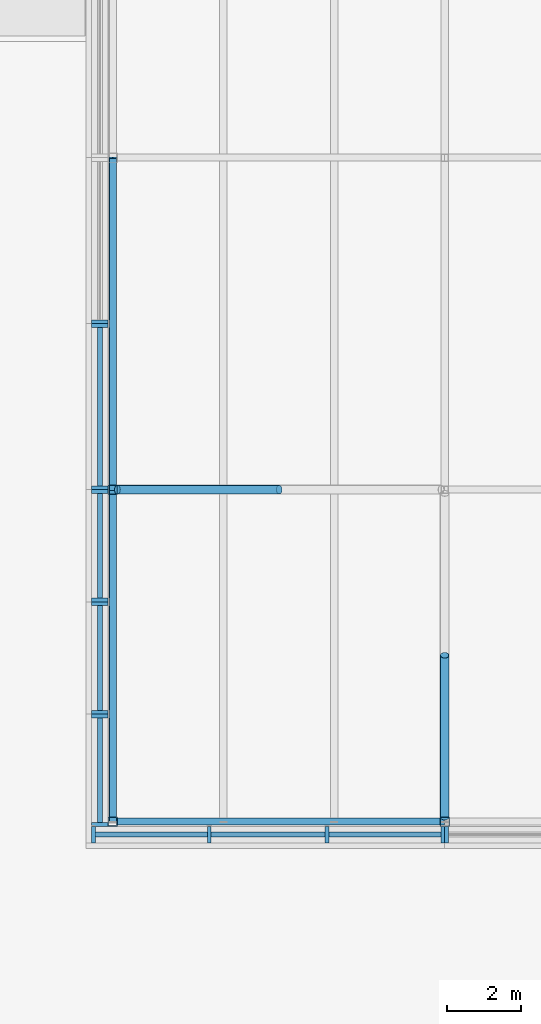
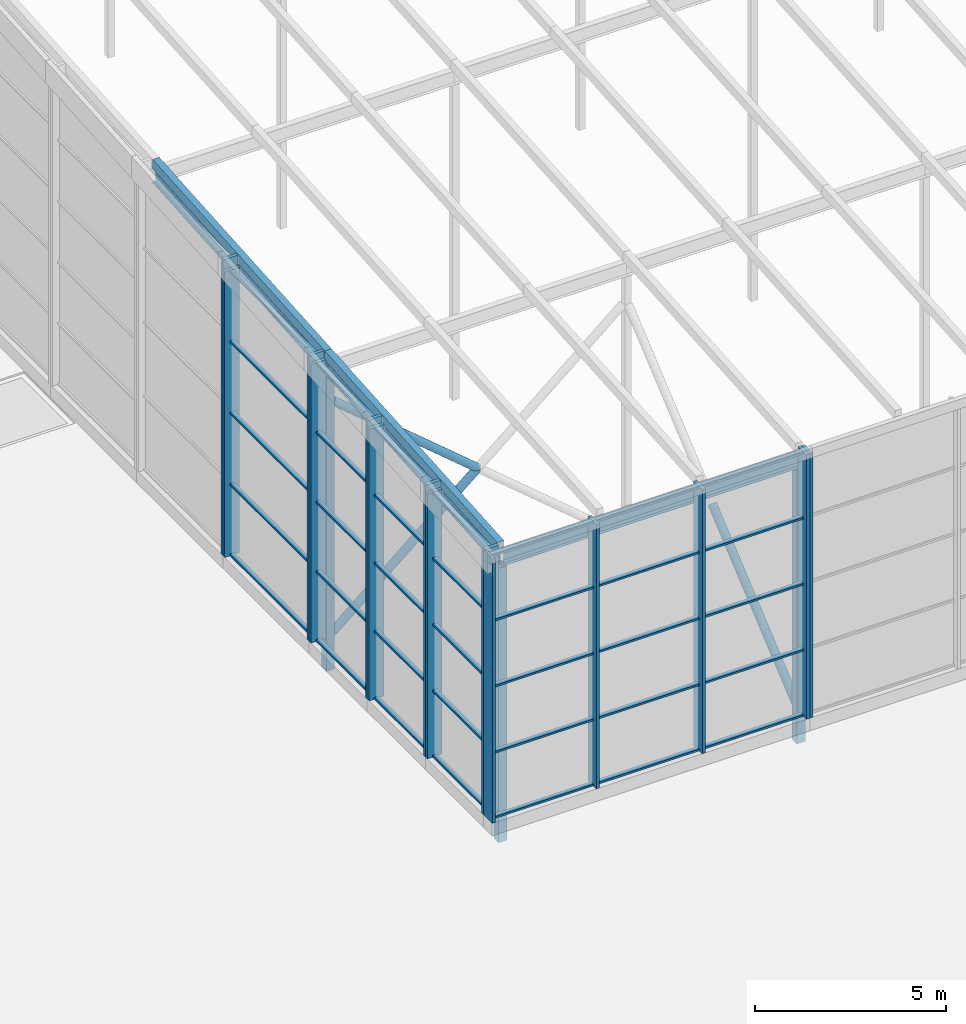
# One storey, part 3 of 84: 57 members, 3 beams, 7 elements without a shape of their own.
"""IFC4 building model written with IfcOpenShell, lengths in metres."""

from ifc_helpers import new_model, si_unit, direction, frame, origin, origin_2d, place, context, subcontext, project, spatial, rectangle, hollow_rectangle, hollow_circle, i_section, extrude, material, material_profile, profile_set, type_object, element, aggregate, save


model = new_model("IFC4")

# Units and contexts
model_context = context("Model", 3, precision=1e-05, world=origin(), true_north=direction((0.0, 1.0)))
body_context = subcontext(model_context, "Body", "Model", "MODEL_VIEW")
ifc_project = project(units=[si_unit("LENGTHUNIT", "METRE"), si_unit("AREAUNIT", "SQUARE_METRE"), si_unit("VOLUMEUNIT", "CUBIC_METRE"), si_unit("PLANEANGLEUNIT", "RADIAN"), si_unit("MASSUNIT", "GRAM", prefix="KILO")], contexts=[model_context])

# Site, building, storey
site_placement = place(None, origin())
site = spatial("IfcSite", under=ifc_project, at=site_placement, CompositionType="ELEMENT")
building_placement = place(site_placement, origin())
building = spatial("IfcBuilding", under=site, at=building_placement, Name="Silverbay Arena", CompositionType="ELEMENT")
storey_placement = place(building_placement, frame((0.0, 0.0, 47.10009765625)))
storey = spatial("IfcBuildingStorey", under=building, at=storey_placement, Name="ROOF", CompositionType="ELEMENT", Elevation=47.10009765625)

# Curtain wall, members
ifc_material_1 = material(Name="Aluminium framed glazing", Category="aluminium")
curtain_wall_type_1 = type_object("IfcCurtainWallType", Name="Curtain wall crown 9575 x 8425", PredefinedType="NOTDEFINED", material=ifc_material_1)
curtain_wall_1_placement = place(storey_placement, origin())
curtain_wall_1 = element("IfcCurtainWall", 1, at=curtain_wall_1_placement, inside=storey, type_object=curtain_wall_type_1, Name="ROOF CROWN CURTAIN WALL south bay 01", PredefinedType="NOTDEFINED")
ifc_material_2 = material(Name="Aluminium", Category="aluminium")
ifc_material_profile_1 = material_profile(ifc_material_2, rectangle(XDim=0.449951171875, YDim=0.10009765625, at=origin_2d()), Name="Mullion 100 x 450")
ifc_profile_set_1 = profile_set([ifc_material_profile_1], Name="Aluminium")
member_type_1 = type_object("IfcMemberType", Name="Mullion 100 x 450", PredefinedType="MULLION", material=ifc_profile_set_1)
placement = place(building_placement, frame((0.0, 0.0, 33.5)))
member_1_placement = place(placement, frame((80.47509765625, 26.64990234375, 14.050048828125), z_axis=(0.0, 0.0, 1.0), x_axis=(0.0, 1.0, 0.0)))
member_1 = element("IfcMember", 2, at=member_1_placement, type_object=member_type_1, Name="CW61 mullion 1", PredefinedType="MULLION", context=body_context, shape_type="SweptSolid", body=[
    extrude(rectangle(XDim=0.449951171875, YDim=0.10009765625, at=origin_2d()), origin(), (0.0, 0.0, 1.0), 8.424560546875),
])
member_2_placement = place(placement, frame((83.61669921875, 26.64990234375, 14.050048828125), z_axis=(0.0, 0.0, 1.0), x_axis=(0.0, 1.0, 0.0)))
member_2 = element("IfcMember", 3, at=member_2_placement, type_object=member_type_1, Name="CW61 mullion 2", PredefinedType="MULLION", context=body_context, shape_type="SweptSolid", body=[
    extrude(rectangle(XDim=0.449951171875, YDim=0.10009765625, at=origin_2d()), origin(), (0.0, 0.0, 1.0), 8.424560546875),
])
member_3_placement = place(placement, frame((86.808349609375, 26.64990234375, 14.050048828125), z_axis=(0.0, 0.0, 1.0), x_axis=(0.0, 1.0, 0.0)))
member_3 = element("IfcMember", 4, at=member_3_placement, type_object=member_type_1, Name="CW61 mullion 3", PredefinedType="MULLION", context=body_context, shape_type="SweptSolid", body=[
    extrude(rectangle(XDim=0.449951171875, YDim=0.10009765625, at=origin_2d()), origin(), (0.0, 0.0, 1.0), 8.424560546875),
])
member_4_placement = place(placement, frame((89.949951171875, 26.64990234375, 14.050048828125), z_axis=(0.0, 0.0, 1.0), x_axis=(0.0, 1.0, 0.0)))
member_4 = element("IfcMember", 5, at=member_4_placement, type_object=member_type_1, Name="CW61 mullion 4", PredefinedType="MULLION", context=body_context, shape_type="SweptSolid", body=[
    extrude(rectangle(XDim=0.449951171875, YDim=0.10009765625, at=origin_2d()), origin(), (0.0, 0.0, 1.0), 8.424560546875),
])

# Curtain wall, member
ifc_material_3 = material(Name="Aluminium framed glazing", Category="aluminium")
curtain_wall_type_2 = type_object("IfcCurtainWallType", Name="Curtain wall crown 9000 x 8425", PredefinedType="NOTDEFINED", material=ifc_material_3)
curtain_wall_2_placement = place(storey_placement, origin())
curtain_wall_2 = element("IfcCurtainWall", 6, at=curtain_wall_2_placement, inside=storey, type_object=curtain_wall_type_2, Name="ROOF CROWN CURTAIN WALL south bay 02", PredefinedType="NOTDEFINED")
member_5_placement = place(placement, frame((90.050048828125, 26.64990234375, 14.050048828125), z_axis=(0.0, 0.0, 1.0), x_axis=(0.0, 1.0, 0.0)))
member_5 = element("IfcMember", 7, at=member_5_placement, type_object=member_type_1, Name="CW62 mullion 1", PredefinedType="MULLION", context=body_context, shape_type="SweptSolid", body=[
    extrude(rectangle(XDim=0.449951171875, YDim=0.10009765625, at=origin_2d()), origin(), (0.0, 0.0, 1.0), 8.424560546875),
])
aggregate(curtain_wall_2, [member_5])

# Curtain wall, members
ifc_material_4 = material(Name="Aluminium framed glazing", Category="aluminium")
curtain_wall_type_3 = type_object("IfcCurtainWallType", Name="Curtain wall crown 3042 x 8441", PredefinedType="NOTDEFINED", material=ifc_material_4)
curtain_wall_3_placement = place(storey_placement, origin())
curtain_wall_3 = element("IfcCurtainWall", 8, at=curtain_wall_3_placement, inside=storey, type_object=curtain_wall_type_3, Name="ROOF CROWN CURTAIN WALL west bay 01", PredefinedType="NOTDEFINED")
member_6_placement = place(placement, frame((80.64990234375, 26.925048828125, 14.050048828125), z_axis=(0.0, 0.0, 1.0), x_axis=(-1.0, 0.0, 0.0)))
member_6 = element("IfcMember", 9, at=member_6_placement, type_object=member_type_1, Name="CW63 mullion 1", PredefinedType="MULLION", context=body_context, shape_type="SweptSolid", body=[
    extrude(rectangle(XDim=0.449951171875, YDim=0.10009765625, at=origin_2d()), origin(), (0.0, 0.0, 1.0), 8.44091796875),
])
member_7_placement = place(placement, frame((80.64990234375, 29.86669921875, 14.050048828125), z_axis=(0.0, 0.0, 1.0), x_axis=(-1.0, 0.0, 0.0)))
member_7 = element("IfcMember", 10, at=member_7_placement, type_object=member_type_1, Name="CW63 mullion 2", PredefinedType="MULLION", context=body_context, shape_type="SweptSolid", body=[
    extrude(rectangle(XDim=0.449951171875, YDim=0.10009765625, at=origin_2d()), origin(), (0.0, 0.0, 1.0), 8.44091796875),
])

ifc_material_5 = material(Name="Aluminium framed glazing", Category="aluminium")
curtain_wall_type_4 = type_object("IfcCurtainWallType", Name="Curtain wall crown 3042 x 8661", PredefinedType="NOTDEFINED", material=ifc_material_5)
curtain_wall_4_placement = place(storey_placement, origin())
curtain_wall_4 = element("IfcCurtainWall", 11, at=curtain_wall_4_placement, inside=storey, type_object=curtain_wall_type_4, Name="ROOF CROWN CURTAIN WALL west bay 02", PredefinedType="NOTDEFINED")
member_8_placement = place(placement, frame((80.64990234375, 29.966552734375, 14.050048828125), z_axis=(0.0, 0.0, 1.0), x_axis=(-1.0, 0.0, 0.0)))
member_8 = element("IfcMember", 12, at=member_8_placement, type_object=member_type_1, Name="CW64 mullion 1", PredefinedType="MULLION", context=body_context, shape_type="SweptSolid", body=[
    extrude(rectangle(XDim=0.449951171875, YDim=0.10009765625, at=origin_2d()), origin(), (0.0, 0.0, 1.0), 8.66064453125),
])
member_9_placement = place(placement, frame((80.64990234375, 32.908447265625, 14.050048828125), z_axis=(0.0, 0.0, 1.0), x_axis=(-1.0, 0.0, 0.0)))
member_9 = element("IfcMember", 13, at=member_9_placement, type_object=member_type_1, Name="CW64 mullion 2", PredefinedType="MULLION", context=body_context, shape_type="SweptSolid", body=[
    extrude(rectangle(XDim=0.449951171875, YDim=0.10009765625, at=origin_2d()), origin(), (0.0, 0.0, 1.0), 8.66064453125),
])

ifc_material_6 = material(Name="Aluminium framed glazing", Category="aluminium")
curtain_wall_type_5 = type_object("IfcCurtainWallType", Name="Curtain wall crown 3042 x 8880", PredefinedType="NOTDEFINED", material=ifc_material_6)
curtain_wall_5_placement = place(storey_placement, origin())
curtain_wall_5 = element("IfcCurtainWall", 14, at=curtain_wall_5_placement, inside=storey, type_object=curtain_wall_type_5, Name="ROOF CROWN CURTAIN WALL west bay 03", PredefinedType="NOTDEFINED")
member_10_placement = place(placement, frame((80.64990234375, 33.00830078125, 14.050048828125), z_axis=(0.0, 0.0, 1.0), x_axis=(-1.0, 0.0, 0.0)))
member_10 = element("IfcMember", 15, at=member_10_placement, type_object=member_type_1, Name="CW65 mullion 1", PredefinedType="MULLION", context=body_context, shape_type="SweptSolid", body=[
    extrude(rectangle(XDim=0.449951171875, YDim=0.10009765625, at=origin_2d()), origin(), (0.0, 0.0, 1.0), 8.88037109375),
])
member_11_placement = place(placement, frame((80.64990234375, 35.949951171875, 14.050048828125), z_axis=(0.0, 0.0, 1.0), x_axis=(-1.0, 0.0, 0.0)))
member_11 = element("IfcMember", 16, at=member_11_placement, type_object=member_type_1, Name="CW65 mullion 2", PredefinedType="MULLION", context=body_context, shape_type="SweptSolid", body=[
    extrude(rectangle(XDim=0.449951171875, YDim=0.10009765625, at=origin_2d()), origin(), (0.0, 0.0, 1.0), 8.88037109375),
])

ifc_material_7 = material(Name="Aluminium framed glazing", Category="aluminium")
curtain_wall_type_6 = type_object("IfcCurtainWallType", Name="Curtain wall crown 4500 x 9100", PredefinedType="NOTDEFINED", material=ifc_material_7)
curtain_wall_6_placement = place(storey_placement, origin())
curtain_wall_6 = element("IfcCurtainWall", 17, at=curtain_wall_6_placement, inside=storey, type_object=curtain_wall_type_6, Name="ROOF CROWN CURTAIN WALL west bay 04", PredefinedType="NOTDEFINED")
member_12_placement = place(placement, frame((80.64990234375, 36.050048828125, 14.050048828125), z_axis=(0.0, 0.0, 1.0), x_axis=(-1.0, 0.0, 0.0)))
member_12 = element("IfcMember", 18, at=member_12_placement, type_object=member_type_1, Name="CW66 mullion 1", PredefinedType="MULLION", context=body_context, shape_type="SweptSolid", body=[
    extrude(rectangle(XDim=0.449951171875, YDim=0.10009765625, at=origin_2d()), origin(), (0.0, 0.0, 1.0), 9.099853515625),
])
member_13_placement = place(placement, frame((80.64990234375, 40.449951171875, 14.050048828125), z_axis=(0.0, 0.0, 1.0), x_axis=(-1.0, 0.0, 0.0)))
member_13 = element("IfcMember", 19, at=member_13_placement, type_object=member_type_1, Name="CW66 mullion 2", PredefinedType="MULLION", context=body_context, shape_type="SweptSolid", body=[
    extrude(rectangle(XDim=0.449951171875, YDim=0.10009765625, at=origin_2d()), origin(), (0.0, 0.0, 1.0), 9.099853515625),
])

# Curtain wall, member
ifc_material_8 = material(Name="Aluminium framed glazing", Category="aluminium")
curtain_wall_type_7 = type_object("IfcCurtainWallType", Name="Curtain wall crown 4500 x 9425", PredefinedType="NOTDEFINED", material=ifc_material_8)
curtain_wall_7_placement = place(storey_placement, origin())
curtain_wall_7 = element("IfcCurtainWall", 20, at=curtain_wall_7_placement, inside=storey, type_object=curtain_wall_type_7, Name="ROOF CROWN CURTAIN WALL west bay 05", PredefinedType="NOTDEFINED")
member_14_placement = place(placement, frame((80.64990234375, 40.550048828125, 14.050048828125), z_axis=(0.0, 0.0, 1.0), x_axis=(-1.0, 0.0, 0.0)))
member_14 = element("IfcMember", 21, at=member_14_placement, type_object=member_type_1, Name="CW67 mullion 1", PredefinedType="MULLION", context=body_context, shape_type="SweptSolid", body=[
    extrude(rectangle(XDim=0.449951171875, YDim=0.10009765625, at=origin_2d()), origin(), (0.0, 0.0, 1.0), 9.425048828125),
])
aggregate(curtain_wall_7, [member_14])

# Members
ifc_material_9 = material(Name="Steel S355", Category="steel")
ifc_material_profile_2 = material_profile(ifc_material_9, hollow_rectangle(XDim=0.199951171875, YDim=0.300048828125, WallThickness=0.008056640625, at=origin_2d()), Name="RHS 300x200x8")
ifc_profile_set_2 = profile_set([ifc_material_profile_2], Name="Steel S355")
member_type_2 = type_object("IfcMemberType", Name="Purlin RHS 300x200x8", PredefinedType="PURLIN", material=ifc_profile_set_2)
for number, where, z_axis, x_axis, name in (
    (22, (81.0, 27.0, 8.74951171875), (0.0, 0.997402911363, 0.072023832195), (-1.0, 0.0, 0.0), "ROOF PURLIN crown line 01 bay 01"),
    (23, (81.0, 36.0, 9.3994140625), (0.0, 0.997400967367, 0.07205074805), (-1.0, 0.0, 0.0), "ROOF PURLIN crown line 01 bay 02"),
):
    element("IfcMember", number, at=place(storey_placement, frame(where, z_axis=z_axis, x_axis=x_axis)), inside=storey, type_object=member_type_2, Name=name, PredefinedType="PURLIN", context=body_context, shape_type="SweptSolid", body=[
        extrude(hollow_rectangle(XDim=0.199951171875, YDim=0.300048828125, WallThickness=0.008056640625, at=origin_2d()), origin(), (0.0, 0.0, 1.0), 9.0234375),
    ])

# Beams
ifc_material_10 = material(Name="Steel S355", Category="steel")
ifc_material_profile_3 = material_profile(ifc_material_10, i_section(OverallWidth=0.18994140625, OverallDepth=0.453369140625, WebThickness=0.008544921875, FlangeThickness=0.0126953125, at=origin_2d()), Name="UB 457x191x67")
ifc_profile_set_3 = profile_set([ifc_material_profile_3], Name="Steel S355")
beam_type = type_object("IfcBeamType", Name="Ring beam UB 457x191x67", PredefinedType="BEAM", material=ifc_profile_set_3)
beam_placement = place(storey_placement, frame((81.094970703125, 27.0, 8.372314453125), z_axis=(1.0, 0.0, 0.0), x_axis=(0.0, 1.0, 0.0)))
element("IfcBeam", 24, at=beam_placement, inside=storey, type_object=beam_type, Name="RING BEAM crown row 01 10-11", PredefinedType="BEAM", context=body_context, shape_type="SweptSolid", body=[
    extrude(i_section(OverallWidth=0.18994140625, OverallDepth=0.453369140625, WebThickness=0.008544921875, FlangeThickness=0.0126953125, at=origin_2d()), origin(), (0.0, 0.0, 1.0), 8.905029296875),
])
for number, where, z_axis, x_axis, name in (
    (25, (81.0, 27.0, 8.372314453125), (0.0, 0.997400967367, 0.07205074805), (-1.0, 0.0, 0.0), "RING BEAM crown west edge 01"),
    (26, (81.0, 36.0, 9.0224609375), (0.0, 0.997402911363, 0.072023832195), (-1.0, 0.0, 0.0), "RING BEAM crown west edge 02"),
):
    element("IfcBeam", number, at=place(storey_placement, frame(where, z_axis=z_axis, x_axis=x_axis)), inside=storey, type_object=beam_type, Name=name, PredefinedType="BEAM", context=body_context, shape_type="SweptSolid", body=[
        extrude(i_section(OverallWidth=0.18994140625, OverallDepth=0.453369140625, WebThickness=0.008544921875, FlangeThickness=0.0126953125, at=origin_2d()), origin(), (0.0, 0.0, 1.0), 9.0234375),
    ])

# Members
ifc_material_11 = material(Name="Steel S355", Category="steel")
ifc_material_profile_4 = material_profile(ifc_material_11, hollow_rectangle(XDim=0.25, YDim=0.25, WallThickness=0.008056640625, at=origin_2d()), Name="SHS 250x250x8")
ifc_profile_set_4 = profile_set([ifc_material_profile_4], Name="Steel S355")
member_type_3 = type_object("IfcMemberType", Name="Roof post SHS 250x250x8", PredefinedType="POST", material=ifc_profile_set_4)
member_15_placement = place(storey_placement, frame((81.0, 27.0, -0.60009765625), z_axis=(0.0, 0.0, 1.0), x_axis=(1.0, 0.0, 0.0)))
element("IfcMember", 27, at=member_15_placement, inside=storey, type_object=member_type_3, Name="ROOF CROWN POST 10 row 01", PredefinedType="POST", context=body_context, shape_type="SweptSolid", body=[
    extrude(hollow_rectangle(XDim=0.25, YDim=0.25, WallThickness=0.008056640625, at=origin_2d()), origin(), (0.0, 0.0, 1.0), 8.745849609375),
])
member_16_placement = place(storey_placement, frame((81.0, 36.0, -0.60009765625), z_axis=(0.0, 0.0, 1.0), x_axis=(1.0, 0.0, 0.0)))
element("IfcMember", 28, at=member_16_placement, inside=storey, type_object=member_type_3, Name="ROOF CROWN POST 10 row 02", PredefinedType="POST", context=body_context, shape_type="SweptSolid", body=[
    extrude(hollow_rectangle(XDim=0.25, YDim=0.25, WallThickness=0.008056640625, at=origin_2d()), origin(), (0.0, 0.0, 1.0), 9.395751953125),
])
member_17_placement = place(storey_placement, frame((90.0, 27.0, -0.60009765625), z_axis=(0.0, 0.0, 1.0), x_axis=(1.0, 0.0, 0.0)))
element("IfcMember", 29, at=member_17_placement, inside=storey, type_object=member_type_3, Name="ROOF CROWN POST 11 row 01", PredefinedType="POST", context=body_context, shape_type="SweptSolid", body=[
    extrude(hollow_rectangle(XDim=0.25, YDim=0.25, WallThickness=0.008056640625, at=origin_2d()), origin(), (0.0, 0.0, 1.0), 8.745849609375),
])

# Member
ifc_material_12 = material(Name="Aluminium", Category="aluminium")
ifc_material_profile_5 = material_profile(ifc_material_12, rectangle(XDim=0.139892578125, YDim=0.06005859375, at=origin_2d()), Name="Transom 60 x 140")
ifc_profile_set_5 = profile_set([ifc_material_profile_5], Name="Aluminium")
member_type_4 = type_object("IfcMemberType", Name="Transom 60 x 140", PredefinedType="USERDEFINED", material=ifc_profile_set_5)
member_18_placement = place(placement, frame((80.52490234375, 26.64990234375, 14.080078125), z_axis=(1.0, 0.0, 0.0), x_axis=(0.0, 1.0, 0.0)))
member_18 = element("IfcMember", 30, at=member_18_placement, type_object=member_type_4, Name="CW61 transom 1.1", ObjectType="TRANSOM", PredefinedType="USERDEFINED", context=body_context, shape_type="SweptSolid", body=[
    extrude(rectangle(XDim=0.139892578125, YDim=0.06005859375, at=origin_2d()), origin(), (0.0, 0.0, 1.0), 3.041748046875),
])

member_19_placement = place(placement, frame((80.52490234375, 26.64990234375, 16.15625), z_axis=(1.0, 0.0, 0.0), x_axis=(0.0, 1.0, 0.0)))
member_19 = element("IfcMember", 31, at=member_19_placement, type_object=member_type_4, Name="CW61 transom 1.2", ObjectType="TRANSOM", PredefinedType="USERDEFINED", context=body_context, shape_type="SweptSolid", body=[
    extrude(rectangle(XDim=0.139892578125, YDim=0.06005859375, at=origin_2d()), origin(), (0.0, 0.0, 1.0), 3.041748046875),
])

member_20_placement = place(placement, frame((80.52490234375, 26.64990234375, 18.262451171875), z_axis=(1.0, 0.0, 0.0), x_axis=(0.0, 1.0, 0.0)))
member_20 = element("IfcMember", 32, at=member_20_placement, type_object=member_type_4, Name="CW61 transom 1.3", ObjectType="TRANSOM", PredefinedType="USERDEFINED", context=body_context, shape_type="SweptSolid", body=[
    extrude(rectangle(XDim=0.139892578125, YDim=0.06005859375, at=origin_2d()), origin(), (0.0, 0.0, 1.0), 3.041748046875),
])

member_21_placement = place(placement, frame((80.52490234375, 26.64990234375, 20.36865234375), z_axis=(1.0, 0.0, 0.0), x_axis=(0.0, 1.0, 0.0)))
member_21 = element("IfcMember", 33, at=member_21_placement, type_object=member_type_4, Name="CW61 transom 1.4", ObjectType="TRANSOM", PredefinedType="USERDEFINED", context=body_context, shape_type="SweptSolid", body=[
    extrude(rectangle(XDim=0.139892578125, YDim=0.06005859375, at=origin_2d()), origin(), (0.0, 0.0, 1.0), 3.041748046875),
])

member_22_placement = place(placement, frame((80.52490234375, 26.64990234375, 22.44482421875), z_axis=(1.0, 0.0, 0.0), x_axis=(0.0, 1.0, 0.0)))
member_22 = element("IfcMember", 34, at=member_22_placement, type_object=member_type_4, Name="CW61 transom 1.5", ObjectType="TRANSOM", PredefinedType="USERDEFINED", context=body_context, shape_type="SweptSolid", body=[
    extrude(rectangle(XDim=0.139892578125, YDim=0.06005859375, at=origin_2d()), origin(), (0.0, 0.0, 1.0), 3.041748046875),
])

member_23_placement = place(placement, frame((83.666748046875, 26.64990234375, 14.080078125), z_axis=(1.0, 0.0, 0.0), x_axis=(0.0, 1.0, 0.0)))
member_23 = element("IfcMember", 35, at=member_23_placement, type_object=member_type_4, Name="CW61 transom 2.1", ObjectType="TRANSOM", PredefinedType="USERDEFINED", context=body_context, shape_type="SweptSolid", body=[
    extrude(rectangle(XDim=0.139892578125, YDim=0.06005859375, at=origin_2d()), origin(), (0.0, 0.0, 1.0), 3.091552734375),
])

member_24_placement = place(placement, frame((83.666748046875, 26.64990234375, 16.15625), z_axis=(1.0, 0.0, 0.0), x_axis=(0.0, 1.0, 0.0)))
member_24 = element("IfcMember", 36, at=member_24_placement, type_object=member_type_4, Name="CW61 transom 2.2", ObjectType="TRANSOM", PredefinedType="USERDEFINED", context=body_context, shape_type="SweptSolid", body=[
    extrude(rectangle(XDim=0.139892578125, YDim=0.06005859375, at=origin_2d()), origin(), (0.0, 0.0, 1.0), 3.091552734375),
])

member_25_placement = place(placement, frame((83.666748046875, 26.64990234375, 18.262451171875), z_axis=(1.0, 0.0, 0.0), x_axis=(0.0, 1.0, 0.0)))
member_25 = element("IfcMember", 37, at=member_25_placement, type_object=member_type_4, Name="CW61 transom 2.3", ObjectType="TRANSOM", PredefinedType="USERDEFINED", context=body_context, shape_type="SweptSolid", body=[
    extrude(rectangle(XDim=0.139892578125, YDim=0.06005859375, at=origin_2d()), origin(), (0.0, 0.0, 1.0), 3.091552734375),
])

member_26_placement = place(placement, frame((83.666748046875, 26.64990234375, 20.36865234375), z_axis=(1.0, 0.0, 0.0), x_axis=(0.0, 1.0, 0.0)))
member_26 = element("IfcMember", 38, at=member_26_placement, type_object=member_type_4, Name="CW61 transom 2.4", ObjectType="TRANSOM", PredefinedType="USERDEFINED", context=body_context, shape_type="SweptSolid", body=[
    extrude(rectangle(XDim=0.139892578125, YDim=0.06005859375, at=origin_2d()), origin(), (0.0, 0.0, 1.0), 3.091552734375),
])

member_27_placement = place(placement, frame((83.666748046875, 26.64990234375, 22.44482421875), z_axis=(1.0, 0.0, 0.0), x_axis=(0.0, 1.0, 0.0)))
member_27 = element("IfcMember", 39, at=member_27_placement, type_object=member_type_4, Name="CW61 transom 2.5", ObjectType="TRANSOM", PredefinedType="USERDEFINED", context=body_context, shape_type="SweptSolid", body=[
    extrude(rectangle(XDim=0.139892578125, YDim=0.06005859375, at=origin_2d()), origin(), (0.0, 0.0, 1.0), 3.091552734375),
])

member_28_placement = place(placement, frame((86.8583984375, 26.64990234375, 14.080078125), z_axis=(1.0, 0.0, 0.0), x_axis=(0.0, 1.0, 0.0)))
member_28 = element("IfcMember", 40, at=member_28_placement, type_object=member_type_4, Name="CW61 transom 3.1", ObjectType="TRANSOM", PredefinedType="USERDEFINED", context=body_context, shape_type="SweptSolid", body=[
    extrude(rectangle(XDim=0.139892578125, YDim=0.06005859375, at=origin_2d()), origin(), (0.0, 0.0, 1.0), 3.04150390625),
])

member_29_placement = place(placement, frame((86.8583984375, 26.64990234375, 16.15625), z_axis=(1.0, 0.0, 0.0), x_axis=(0.0, 1.0, 0.0)))
member_29 = element("IfcMember", 41, at=member_29_placement, type_object=member_type_4, Name="CW61 transom 3.2", ObjectType="TRANSOM", PredefinedType="USERDEFINED", context=body_context, shape_type="SweptSolid", body=[
    extrude(rectangle(XDim=0.139892578125, YDim=0.06005859375, at=origin_2d()), origin(), (0.0, 0.0, 1.0), 3.04150390625),
])

member_30_placement = place(placement, frame((86.8583984375, 26.64990234375, 18.262451171875), z_axis=(1.0, 0.0, 0.0), x_axis=(0.0, 1.0, 0.0)))
member_30 = element("IfcMember", 42, at=member_30_placement, type_object=member_type_4, Name="CW61 transom 3.3", ObjectType="TRANSOM", PredefinedType="USERDEFINED", context=body_context, shape_type="SweptSolid", body=[
    extrude(rectangle(XDim=0.139892578125, YDim=0.06005859375, at=origin_2d()), origin(), (0.0, 0.0, 1.0), 3.04150390625),
])

member_31_placement = place(placement, frame((86.8583984375, 26.64990234375, 20.36865234375), z_axis=(1.0, 0.0, 0.0), x_axis=(0.0, 1.0, 0.0)))
member_31 = element("IfcMember", 43, at=member_31_placement, type_object=member_type_4, Name="CW61 transom 3.4", ObjectType="TRANSOM", PredefinedType="USERDEFINED", context=body_context, shape_type="SweptSolid", body=[
    extrude(rectangle(XDim=0.139892578125, YDim=0.06005859375, at=origin_2d()), origin(), (0.0, 0.0, 1.0), 3.04150390625),
])

member_32_placement = place(placement, frame((86.8583984375, 26.64990234375, 22.44482421875), z_axis=(1.0, 0.0, 0.0), x_axis=(0.0, 1.0, 0.0)))
member_32 = element("IfcMember", 44, at=member_32_placement, type_object=member_type_4, Name="CW61 transom 3.5", ObjectType="TRANSOM", PredefinedType="USERDEFINED", context=body_context, shape_type="SweptSolid", body=[
    extrude(rectangle(XDim=0.139892578125, YDim=0.06005859375, at=origin_2d()), origin(), (0.0, 0.0, 1.0), 3.04150390625),
])

aggregate(curtain_wall_1, [member_1, member_2, member_3, member_4, member_18, member_19, member_20, member_21, member_22, member_23, member_24, member_25, member_26, member_27, member_28, member_29, member_30, member_31, member_32])

member_33_placement = place(placement, frame((80.64990234375, 26.97509765625, 14.080078125), z_axis=(0.0, 1.0, 0.0), x_axis=(-1.0, 0.0, 0.0)))
member_33 = element("IfcMember", 45, at=member_33_placement, type_object=member_type_4, Name="CW63 transom 1.1", ObjectType="TRANSOM", PredefinedType="USERDEFINED", context=body_context, shape_type="SweptSolid", body=[
    extrude(rectangle(XDim=0.139892578125, YDim=0.06005859375, at=origin_2d()), origin(), (0.0, 0.0, 1.0), 2.841552734375),
])

member_34_placement = place(placement, frame((80.64990234375, 26.97509765625, 16.16015625), z_axis=(0.0, 1.0, 0.0), x_axis=(-1.0, 0.0, 0.0)))
member_34 = element("IfcMember", 46, at=member_34_placement, type_object=member_type_4, Name="CW63 transom 1.2", ObjectType="TRANSOM", PredefinedType="USERDEFINED", context=body_context, shape_type="SweptSolid", body=[
    extrude(rectangle(XDim=0.139892578125, YDim=0.06005859375, at=origin_2d()), origin(), (0.0, 0.0, 1.0), 2.841552734375),
])

member_35_placement = place(placement, frame((80.64990234375, 26.97509765625, 18.2705078125), z_axis=(0.0, 1.0, 0.0), x_axis=(-1.0, 0.0, 0.0)))
member_35 = element("IfcMember", 47, at=member_35_placement, type_object=member_type_4, Name="CW63 transom 1.3", ObjectType="TRANSOM", PredefinedType="USERDEFINED", context=body_context, shape_type="SweptSolid", body=[
    extrude(rectangle(XDim=0.139892578125, YDim=0.06005859375, at=origin_2d()), origin(), (0.0, 0.0, 1.0), 2.841552734375),
])

member_36_placement = place(placement, frame((80.64990234375, 26.97509765625, 20.380615234375), z_axis=(0.0, 1.0, 0.0), x_axis=(-1.0, 0.0, 0.0)))
member_36 = element("IfcMember", 48, at=member_36_placement, type_object=member_type_4, Name="CW63 transom 1.4", ObjectType="TRANSOM", PredefinedType="USERDEFINED", context=body_context, shape_type="SweptSolid", body=[
    extrude(rectangle(XDim=0.139892578125, YDim=0.06005859375, at=origin_2d()), origin(), (0.0, 0.0, 1.0), 2.841552734375),
])

member_37_placement = place(placement, frame((80.64990234375, 26.97509765625, 22.4609375), z_axis=(0.0, 1.0, 0.0), x_axis=(-1.0, 0.0, 0.0)))
member_37 = element("IfcMember", 49, at=member_37_placement, type_object=member_type_4, Name="CW63 transom 1.5", ObjectType="TRANSOM", PredefinedType="USERDEFINED", context=body_context, shape_type="SweptSolid", body=[
    extrude(rectangle(XDim=0.139892578125, YDim=0.06005859375, at=origin_2d()), origin(), (0.0, 0.0, 1.0), 2.841552734375),
])

aggregate(curtain_wall_3, [member_6, member_7, member_33, member_34, member_35, member_36, member_37])

member_38_placement = place(placement, frame((80.64990234375, 30.0166015625, 14.080078125), z_axis=(0.0, 1.0, 0.0), x_axis=(-1.0, 0.0, 0.0)))
member_38 = element("IfcMember", 50, at=member_38_placement, type_object=member_type_4, Name="CW64 transom 1.1", ObjectType="TRANSOM", PredefinedType="USERDEFINED", context=body_context, shape_type="SweptSolid", body=[
    extrude(rectangle(XDim=0.139892578125, YDim=0.06005859375, at=origin_2d()), origin(), (0.0, 0.0, 1.0), 2.841796875),
])

member_39_placement = place(placement, frame((80.64990234375, 30.0166015625, 16.215087890625), z_axis=(0.0, 1.0, 0.0), x_axis=(-1.0, 0.0, 0.0)))
member_39 = element("IfcMember", 51, at=member_39_placement, type_object=member_type_4, Name="CW64 transom 1.2", ObjectType="TRANSOM", PredefinedType="USERDEFINED", context=body_context, shape_type="SweptSolid", body=[
    extrude(rectangle(XDim=0.139892578125, YDim=0.06005859375, at=origin_2d()), origin(), (0.0, 0.0, 1.0), 2.841796875),
])

member_40_placement = place(placement, frame((80.64990234375, 30.0166015625, 18.38037109375), z_axis=(0.0, 1.0, 0.0), x_axis=(-1.0, 0.0, 0.0)))
member_40 = element("IfcMember", 52, at=member_40_placement, type_object=member_type_4, Name="CW64 transom 1.3", ObjectType="TRANSOM", PredefinedType="USERDEFINED", context=body_context, shape_type="SweptSolid", body=[
    extrude(rectangle(XDim=0.139892578125, YDim=0.06005859375, at=origin_2d()), origin(), (0.0, 0.0, 1.0), 2.841796875),
])

member_41_placement = place(placement, frame((80.64990234375, 30.0166015625, 20.54541015625), z_axis=(0.0, 1.0, 0.0), x_axis=(-1.0, 0.0, 0.0)))
member_41 = element("IfcMember", 53, at=member_41_placement, type_object=member_type_4, Name="CW64 transom 1.4", ObjectType="TRANSOM", PredefinedType="USERDEFINED", context=body_context, shape_type="SweptSolid", body=[
    extrude(rectangle(XDim=0.139892578125, YDim=0.06005859375, at=origin_2d()), origin(), (0.0, 0.0, 1.0), 2.841796875),
])

member_42_placement = place(placement, frame((80.64990234375, 30.0166015625, 22.6806640625), z_axis=(0.0, 1.0, 0.0), x_axis=(-1.0, 0.0, 0.0)))
member_42 = element("IfcMember", 54, at=member_42_placement, type_object=member_type_4, Name="CW64 transom 1.5", ObjectType="TRANSOM", PredefinedType="USERDEFINED", context=body_context, shape_type="SweptSolid", body=[
    extrude(rectangle(XDim=0.139892578125, YDim=0.06005859375, at=origin_2d()), origin(), (0.0, 0.0, 1.0), 2.841796875),
])

aggregate(curtain_wall_4, [member_8, member_9, member_38, member_39, member_40, member_41, member_42])

member_43_placement = place(placement, frame((80.64990234375, 33.058349609375, 14.080078125), z_axis=(0.0, 1.0, 0.0), x_axis=(-1.0, 0.0, 0.0)))
member_43 = element("IfcMember", 55, at=member_43_placement, type_object=member_type_4, Name="CW65 transom 1.1", ObjectType="TRANSOM", PredefinedType="USERDEFINED", context=body_context, shape_type="SweptSolid", body=[
    extrude(rectangle(XDim=0.139892578125, YDim=0.06005859375, at=origin_2d()), origin(), (0.0, 0.0, 1.0), 2.841552734375),
])

member_44_placement = place(placement, frame((80.64990234375, 33.058349609375, 16.27001953125), z_axis=(0.0, 1.0, 0.0), x_axis=(-1.0, 0.0, 0.0)))
member_44 = element("IfcMember", 56, at=member_44_placement, type_object=member_type_4, Name="CW65 transom 1.2", ObjectType="TRANSOM", PredefinedType="USERDEFINED", context=body_context, shape_type="SweptSolid", body=[
    extrude(rectangle(XDim=0.139892578125, YDim=0.06005859375, at=origin_2d()), origin(), (0.0, 0.0, 1.0), 2.841552734375),
])

member_45_placement = place(placement, frame((80.64990234375, 33.058349609375, 18.490234375), z_axis=(0.0, 1.0, 0.0), x_axis=(-1.0, 0.0, 0.0)))
member_45 = element("IfcMember", 57, at=member_45_placement, type_object=member_type_4, Name="CW65 transom 1.3", ObjectType="TRANSOM", PredefinedType="USERDEFINED", context=body_context, shape_type="SweptSolid", body=[
    extrude(rectangle(XDim=0.139892578125, YDim=0.06005859375, at=origin_2d()), origin(), (0.0, 0.0, 1.0), 2.841552734375),
])

member_46_placement = place(placement, frame((80.64990234375, 33.058349609375, 20.710205078125), z_axis=(0.0, 1.0, 0.0), x_axis=(-1.0, 0.0, 0.0)))
member_46 = element("IfcMember", 58, at=member_46_placement, type_object=member_type_4, Name="CW65 transom 1.4", ObjectType="TRANSOM", PredefinedType="USERDEFINED", context=body_context, shape_type="SweptSolid", body=[
    extrude(rectangle(XDim=0.139892578125, YDim=0.06005859375, at=origin_2d()), origin(), (0.0, 0.0, 1.0), 2.841552734375),
])

member_47_placement = place(placement, frame((80.64990234375, 33.058349609375, 22.900390625), z_axis=(0.0, 1.0, 0.0), x_axis=(-1.0, 0.0, 0.0)))
member_47 = element("IfcMember", 59, at=member_47_placement, type_object=member_type_4, Name="CW65 transom 1.5", ObjectType="TRANSOM", PredefinedType="USERDEFINED", context=body_context, shape_type="SweptSolid", body=[
    extrude(rectangle(XDim=0.139892578125, YDim=0.06005859375, at=origin_2d()), origin(), (0.0, 0.0, 1.0), 2.841552734375),
])

aggregate(curtain_wall_5, [member_10, member_11, member_43, member_44, member_45, member_46, member_47])

member_48_placement = place(placement, frame((80.64990234375, 36.10009765625, 14.080078125), z_axis=(0.0, 1.0, 0.0), x_axis=(-1.0, 0.0, 0.0)))
member_48 = element("IfcMember", 60, at=member_48_placement, type_object=member_type_4, Name="CW66 transom 1.1", ObjectType="TRANSOM", PredefinedType="USERDEFINED", context=body_context, shape_type="SweptSolid", body=[
    extrude(rectangle(XDim=0.139892578125, YDim=0.06005859375, at=origin_2d()), origin(), (0.0, 0.0, 1.0), 4.2998046875),
])

member_49_placement = place(placement, frame((80.64990234375, 36.10009765625, 16.324951171875), z_axis=(0.0, 1.0, 0.0), x_axis=(-1.0, 0.0, 0.0)))
member_49 = element("IfcMember", 61, at=member_49_placement, type_object=member_type_4, Name="CW66 transom 1.2", ObjectType="TRANSOM", PredefinedType="USERDEFINED", context=body_context, shape_type="SweptSolid", body=[
    extrude(rectangle(XDim=0.139892578125, YDim=0.06005859375, at=origin_2d()), origin(), (0.0, 0.0, 1.0), 4.2998046875),
])

member_50_placement = place(placement, frame((80.64990234375, 36.10009765625, 18.60009765625), z_axis=(0.0, 1.0, 0.0), x_axis=(-1.0, 0.0, 0.0)))
member_50 = element("IfcMember", 62, at=member_50_placement, type_object=member_type_4, Name="CW66 transom 1.3", ObjectType="TRANSOM", PredefinedType="USERDEFINED", context=body_context, shape_type="SweptSolid", body=[
    extrude(rectangle(XDim=0.139892578125, YDim=0.06005859375, at=origin_2d()), origin(), (0.0, 0.0, 1.0), 4.2998046875),
])

member_51_placement = place(placement, frame((80.64990234375, 36.10009765625, 20.875), z_axis=(0.0, 1.0, 0.0), x_axis=(-1.0, 0.0, 0.0)))
member_51 = element("IfcMember", 63, at=member_51_placement, type_object=member_type_4, Name="CW66 transom 1.4", ObjectType="TRANSOM", PredefinedType="USERDEFINED", context=body_context, shape_type="SweptSolid", body=[
    extrude(rectangle(XDim=0.139892578125, YDim=0.06005859375, at=origin_2d()), origin(), (0.0, 0.0, 1.0), 4.2998046875),
])

member_52_placement = place(placement, frame((80.64990234375, 36.10009765625, 23.1201171875), z_axis=(0.0, 1.0, 0.0), x_axis=(-1.0, 0.0, 0.0)))
member_52 = element("IfcMember", 64, at=member_52_placement, type_object=member_type_4, Name="CW66 transom 1.5", ObjectType="TRANSOM", PredefinedType="USERDEFINED", context=body_context, shape_type="SweptSolid", body=[
    extrude(rectangle(XDim=0.139892578125, YDim=0.06005859375, at=origin_2d()), origin(), (0.0, 0.0, 1.0), 4.2998046875),
])

aggregate(curtain_wall_6, [member_12, member_13, member_48, member_49, member_50, member_51, member_52])

# Members
ifc_material_13 = material(Name="Steel S355", Category="steel")
ifc_material_profile_6 = material_profile(ifc_material_13, hollow_circle(Radius=0.122314453125, WallThickness=0.00634765625, at=origin_2d()), Name="CHS 244.5x6.3")
ifc_profile_set_6 = profile_set([ifc_material_profile_6], Name="Steel S355")
member_type_5 = type_object("IfcMemberType", Name="Vertical bracing CHS 244.5x6.3", PredefinedType="BRACE", material=ifc_profile_set_6)
member_53_placement = place(storey_placement, frame((81.125, 36.0, 0.5), z_axis=(0.764648530519, 0.0, 0.644447534541), x_axis=(0.0, 1.0, 0.0)))
element("IfcMember", 65, at=member_53_placement, inside=storey, type_object=member_type_5, Name="ROOF CROWN BRACING S bay 01 Aa", PredefinedType="BRACE", context=body_context, shape_type="SweptSolid", body=[
    extrude(hollow_circle(Radius=0.122314453125, WallThickness=0.00634765625, at=origin_2d()), origin(), (0.0, 0.0, 1.0), 5.73779296875),
])
member_54_placement = place(storey_placement, frame((81.125, 36.0, 7.895751953125), z_axis=(0.764627563556, 0.0, -0.644472411395), x_axis=(0.0, 1.0, 0.0)))
element("IfcMember", 66, at=member_54_placement, inside=storey, type_object=member_type_5, Name="ROOF CROWN BRACING S bay 01 Ba", PredefinedType="BRACE", context=body_context, shape_type="SweptSolid", body=[
    extrude(hollow_circle(Radius=0.122314453125, WallThickness=0.00634765625, at=origin_2d()), origin(), (0.0, 0.0, 1.0), 5.738037109375),
])
member_55_placement = place(storey_placement, frame((90.0, 27.125, 0.5), z_axis=(0.0, 0.764963075748, 0.644074136061), x_axis=(-1.0, 0.0, 0.0)))
element("IfcMember", 67, at=member_55_placement, inside=storey, type_object=member_type_5, Name="ROOF CROWN BRACING W bay 01 Aa", PredefinedType="BRACE", context=body_context, shape_type="SweptSolid", body=[
    extrude(hollow_circle(Radius=0.122314453125, WallThickness=0.00634765625, at=origin_2d()), origin(), (0.0, 0.0, 1.0), 5.735595703125),
])

save(model, "model.ifc")
